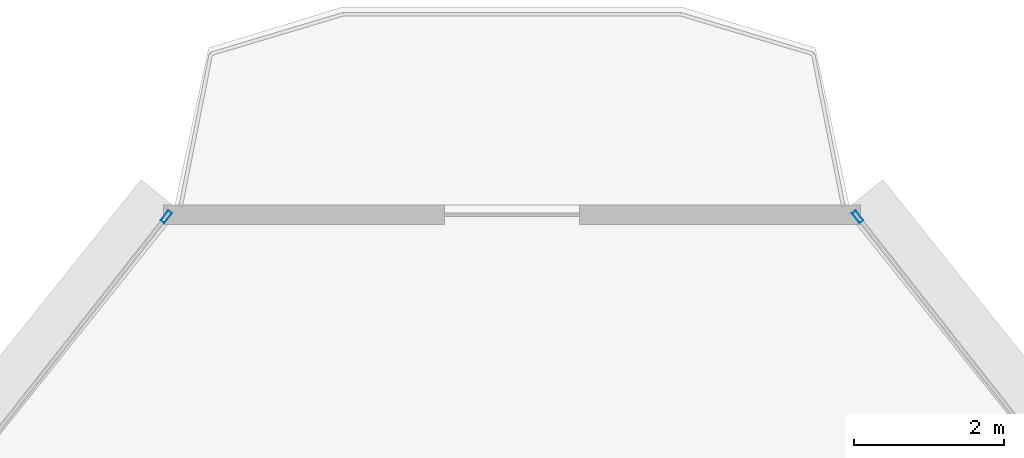
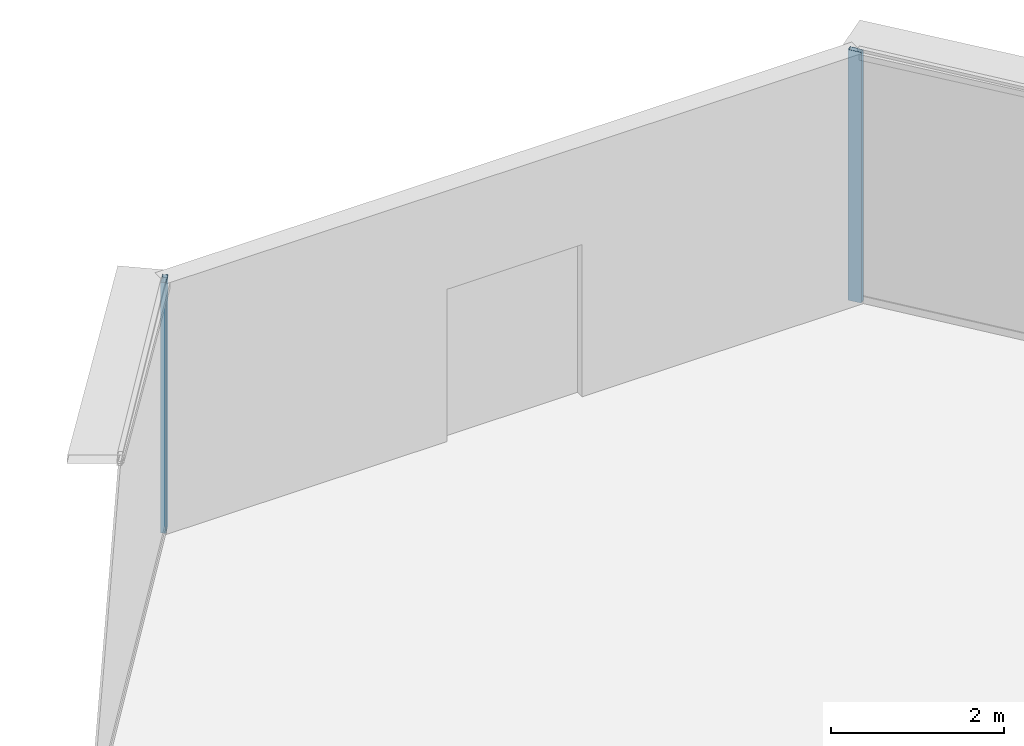
# One storey, part 26 of 37: 2 members, 2 elements without a shape of their own.
"""IFC4 building model written with IfcOpenShell, lengths in metres."""

from ifc_helpers import new_model, si_unit, direction, frame, origin, origin_2d, place, context, subcontext, project, spatial, hollow_rectangle, extrude, source, transform, mapped, material, layer, layer_set, material_profile, profile_set, type_object, element, aggregate, save


model = new_model("IFC4")

# Units and contexts
model_context = context("Model", 3, precision=1e-05, world=origin(), true_north=direction((0.0, 1.0)))
body_context = subcontext(model_context, "Body", "Model", "MODEL_VIEW")
ifc_project = project(units=[si_unit("LENGTHUNIT", "METRE"), si_unit("AREAUNIT", "SQUARE_METRE"), si_unit("VOLUMEUNIT", "CUBIC_METRE"), si_unit("PLANEANGLEUNIT", "RADIAN"), si_unit("MASSUNIT", "GRAM", prefix="KILO"), si_unit("THERMODYNAMICTEMPERATUREUNIT", "KELVIN"), si_unit("POWERUNIT", "WATT")], contexts=[model_context])

# Site, building, storey
site_placement = place(None, origin())
site = spatial("IfcSite", under=ifc_project, at=site_placement, CompositionType="ELEMENT")
building_placement = place(site_placement, origin())
building = spatial("IfcBuilding", under=site, at=building_placement, Name="Yunzhuo Pagoda Commons", CompositionType="ELEMENT")
storey_placement = place(building_placement, frame((0.0, 0.0, 84.97998046875)))
storey = spatial("IfcBuildingStorey", under=building, at=storey_placement, Name="L21", CompositionType="ELEMENT", Elevation=84.97998046875)

# Curtain wall, member
ifc_material = material(Name="Anodized aluminium 6063-T6", Category="aluminium")
ifc_layer = layer(ifc_material, 0.1650390625)
ifc_layer_set = layer_set([ifc_layer], Name="Anodized aluminium 6063-T6")
curtain_wall_type = type_object("IfcCurtainWallType", Name="CW-LOW Low-Zone Ribbon Curtain Wall", PredefinedType="NOTDEFINED", material=ifc_layer_set)
curtain_wall_1_placement = place(storey_placement, origin())
curtain_wall_1 = element("IfcCurtainWall", 1, at=curtain_wall_1_placement, inside=storey, type_object=curtain_wall_type, Name="L21 curtain wall CW-L21-F2B5", PredefinedType="NOTDEFINED")
ifc_material_profile = material_profile(ifc_material, hollow_rectangle(XDim=0.06494140625, YDim=0.1650390625, WallThickness=0.00390625, at=origin_2d()), Name="Anodized aluminium 6063-T6")
ifc_profile_set = profile_set([ifc_material_profile], Name="Anodized aluminium 6063-T6")
member_type = type_object("IfcMemberType", Name="CW-LOW-M Mullion RHS 165x65x4", PredefinedType="MULLION", material=ifc_profile_set)
shared_shape = source(origin(), body_context, "Body", "SweptSolid", [
    extrude(hollow_rectangle(XDim=0.06494140625, YDim=0.1650390625, WallThickness=0.00390625, at=origin_2d()), origin(), (0.0, 0.0, 1.0), 3.5400390625),
])
member_1_placement = place(storey_placement, frame((52.61767578125, 87.29443359375, 0.000244140625), z_axis=(0.0, 0.0, 1.0), x_axis=(-0.786130948635, -0.618059974111, 0.0)))
member_1 = element("IfcMember", 2, at=member_1_placement, type_object=member_type, Name="CW mullion 2", PredefinedType="MULLION", context=body_context, shape_type="MappedRepresentation", body=[
    mapped(shared_shape, transform((0.0, 0.0, 0.0), scale=1.0)),
])
aggregate(curtain_wall_1, [member_1])

curtain_wall_2_placement = place(storey_placement, origin())
curtain_wall_2 = element("IfcCurtainWall", 3, at=curtain_wall_2_placement, inside=storey, type_object=curtain_wall_type, Name="L21 curtain wall CW-L21-F3B1", PredefinedType="NOTDEFINED")
member_2_placement = place(storey_placement, frame((43.38232421875, 87.29443359375, 0.000244140625), z_axis=(0.0, 0.0, 1.0), x_axis=(0.786130948635, -0.618059974111, 0.0)))
member_2 = element("IfcMember", 4, at=member_2_placement, type_object=member_type, Name="CW mullion 1", PredefinedType="MULLION", context=body_context, shape_type="MappedRepresentation", body=[
    mapped(shared_shape, transform((0.0, 0.0, 0.0), scale=1.0)),
])
aggregate(curtain_wall_2, [member_2])

save(model, "model.ifc")
